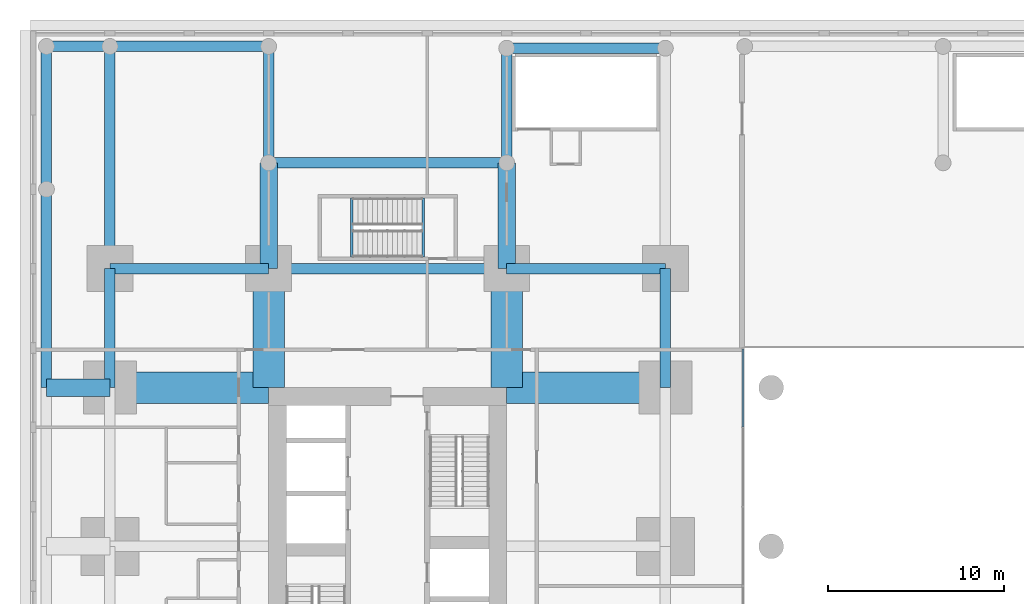
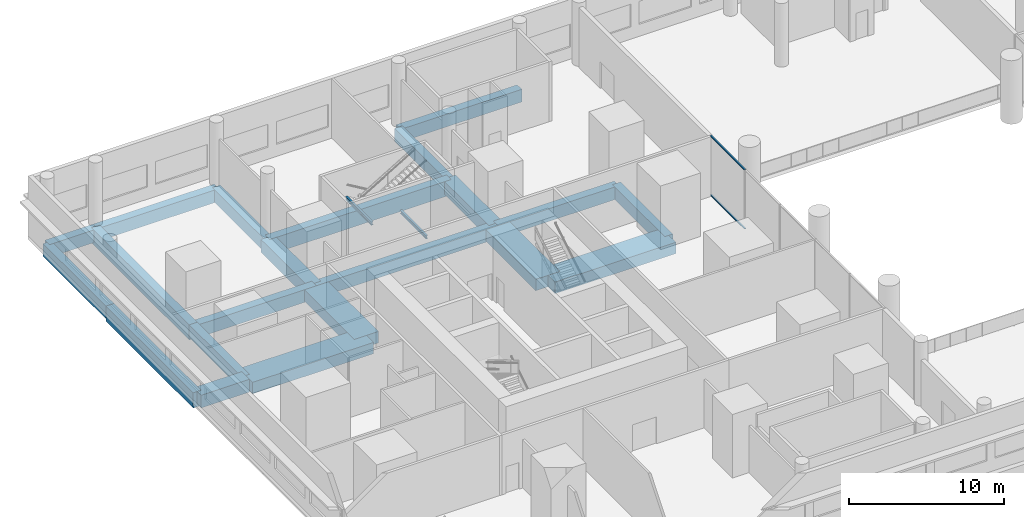
# One storey, part 4 of 20: 23 beams, 2 members, 1 element without a shape of its own.
"""IFC4 building model written with IfcOpenShell, lengths in metres."""

import ifcopenshell
import ifcopenshell.guid

model = None  # the IFC model being written
_history = None  # IfcOwnerHistory: only IFC2X3 demands one
_inside = {}  # id of a spatial element -> (the spatial element, [elements in it])
_under = {}  # id of a project, library or spatial element -> (it, [spatial elements below it])
_declared = {}  # id of a project -> (the project, [libraries it declares])
_typed = {}  # id of a type object -> (the type object, [elements of that type])
_made_of = {}  # id of a material, layer set ... -> (it, [elements and type objects made of it])


def new_model(schema):
    """Start an empty IFC model of exactly this schema.

    Asked for "IFC4X3", IfcOpenShell would pick the latest addendum, in which some entities
    have other attributes; the version numbers below select the first issue.
    IFC2X3 requires an IfcOwnerHistory on every rooted entity: one is made here for all.
    """
    global model, _history
    if schema == "IFC4X3":
        model = ifcopenshell.file(schema_version=(4, 3, 0, 0))
    else:
        model = ifcopenshell.file(schema=schema)
    _inside.clear()
    _under.clear()
    _declared.clear()
    _typed.clear()
    _made_of.clear()
    _history = None
    if model.schema == "IFC2X3":
        org = make("IfcOrganization", Name="unknown")
        user = make(
            "IfcPersonAndOrganization",
            ThePerson=make("IfcPerson", FamilyName="unknown"),
            TheOrganization=org,
        )
        app = make(
            "IfcApplication",
            ApplicationDeveloper=org,
            Version="unknown",
            ApplicationFullName="unknown",
            ApplicationIdentifier="unknown",
        )
        _history = make(
            "IfcOwnerHistory",
            OwningUser=user,
            OwningApplication=app,
            ChangeAction="ADDED",
            CreationDate=0,
        )
    return model


def make(cls, **values):
    """One entity of the class cls with the attributes given. An attribute that is None is left unset."""
    return model.create_entity(
        cls, **{name: value for name, value in values.items() if value is not None}
    )


def rooted(cls, **values):
    """An entity with a GlobalId (a new one), such as an element, a storey or a relation."""
    return make(cls, GlobalId=ifcopenshell.guid.new(), OwnerHistory=_history, **values)


def si_unit(unit_type, name, prefix=None):
    """IfcSIUnit, for example si_unit("LENGTHUNIT", "METRE", prefix="MILLI")."""
    return make("IfcSIUnit", UnitType=unit_type, Prefix=prefix, Name=name)


def assignment(units):
    """IfcUnitAssignment: the units of a project."""
    return None if units is None else make("IfcUnitAssignment", Units=units)


def point(xyz):
    """IfcCartesianPoint."""
    return None if xyz is None else make("IfcCartesianPoint", Coordinates=xyz)


def direction(xyz):
    """IfcDirection."""
    return None if xyz is None else make("IfcDirection", DirectionRatios=xyz)


def frame(location, z_axis=None, x_axis=None):
    """IfcAxis2Placement3D, a coordinate frame: its origin and axes. An axis left out is left unset."""
    return make(
        "IfcAxis2Placement3D",
        Location=point(location),
        Axis=direction(z_axis),
        RefDirection=direction(x_axis),
    )


def frame_2d(location, x_axis=None):
    """IfcAxis2Placement2D, a coordinate frame in the plane: its origin and x axis."""
    return make(
        "IfcAxis2Placement2D", Location=point(location), RefDirection=direction(x_axis)
    )


def origin():
    """The frame at (0, 0, 0) with its axes left unset."""
    return frame((0.0, 0.0, 0.0))


def origin_2d():
    """The frame at (0, 0) in the plane with its x axis left unset."""
    return frame_2d((0.0, 0.0))


def place(relative_to, where):
    """IfcLocalPlacement: puts the frame where relative to a parent placement (None: the world)."""
    return make(
        "IfcLocalPlacement", PlacementRelTo=relative_to, RelativePlacement=where
    )


def context(
    kind, dimensions, precision=None, world=None, true_north=None, identifier=None
):
    """IfcGeometricRepresentationContext, for example the 3D "Model" context."""
    return make(
        "IfcGeometricRepresentationContext",
        ContextIdentifier=identifier,
        ContextType=kind,
        CoordinateSpaceDimension=dimensions,
        Precision=precision,
        WorldCoordinateSystem=world,
        TrueNorth=true_north,
    )


def subcontext(parent, identifier, kind, view, scale=None):
    """IfcGeometricRepresentationSubContext, for example "Body" below "Model"."""
    return make(
        "IfcGeometricRepresentationSubContext",
        ContextIdentifier=identifier,
        ContextType=kind,
        ParentContext=parent,
        TargetScale=scale,
        TargetView=view,
    )


def project(units=None, contexts=None):
    """IfcProject with its units and contexts."""
    return rooted(
        "IfcProject",
        Name="project",
        RepresentationContexts=contexts,
        UnitsInContext=assignment(units),
    )


def spatial(cls, under=None, at=None, **own):
    """A site, building, storey or space (cls), placed at a placement, below another one or the project."""
    s = rooted(cls, ObjectPlacement=at, **own)
    if under is not None:
        _under.setdefault(under.id(), (under, []))[1].append(s)
    return s


def profile(cls, at=None, kind="AREA", **sizes):
    """A parametric profile (cls). Its sizes go by their IFC names, for example OverallWidth=200.0."""
    return make(cls, ProfileType=kind, Position=at, **sizes)


def rectangle(**sizes):
    """IfcRectangleProfileDef."""
    return profile("IfcRectangleProfileDef", **sizes)


def i_section(**sizes):
    """IfcIShapeProfileDef."""
    return profile("IfcIShapeProfileDef", **sizes)


def extrude(swept, where, along, depth):
    """IfcExtrudedAreaSolid: the profile swept, set in the frame where, extruded along a direction by depth."""
    return make(
        "IfcExtrudedAreaSolid",
        SweptArea=swept,
        Position=where,
        ExtrudedDirection=direction(along),
        Depth=depth,
    )


def shape(context_of_items, identifier, shape_type, items):
    """IfcShapeRepresentation: the items that make up one representation, for example the "Body"."""
    return make(
        "IfcShapeRepresentation",
        ContextOfItems=context_of_items,
        RepresentationIdentifier=identifier,
        RepresentationType=shape_type,
        Items=items,
    )


def material(Name=None, Category=None):
    """IfcMaterial."""
    return make("IfcMaterial", Name=Name, Category=Category)


def layer(
    of_material, thickness, ventilated=None, Name=None, Category=None, Priority=None
):
    """IfcMaterialLayer: one layer of a wall or slab, of a material (None: an air gap)."""
    return make(
        "IfcMaterialLayer",
        Material=of_material,
        LayerThickness=thickness,
        IsVentilated=ventilated,
        Name=Name,
        Category=Category,
        Priority=Priority,
    )


def layer_set(layers, Name=None):
    """IfcMaterialLayerSet."""
    return make("IfcMaterialLayerSet", MaterialLayers=layers, LayerSetName=Name)


def material_profile(
    of_material, cross_section, Name=None, Category=None, Priority=None
):
    """IfcMaterialProfile: a cross section and its material."""
    return make(
        "IfcMaterialProfile",
        Name=Name,
        Material=of_material,
        Profile=cross_section,
        Priority=Priority,
        Category=Category,
    )


def profile_set(profiles, Name=None, composite=None):
    """IfcMaterialProfileSet."""
    return make(
        "IfcMaterialProfileSet",
        Name=Name,
        MaterialProfiles=profiles,
        CompositeProfile=composite,
    )


def made_of(thing, what):
    """Note that an element or type object is made of a material, layer set ...; save() writes the relation."""
    if what is not None:
        _made_of.setdefault(what.id(), (what, []))[1].append(thing)
    return thing


def type_object(cls, material=None, **own):
    """A type object (cls), such as IfcWallType, which elements share."""
    return made_of(rooted(cls, **own), material)


def element(
    cls,
    number,
    at=None,
    inside=None,
    cuts=None,
    type_object=None,
    material=None,
    context=None,
    identifier="Body",
    shape_type=None,
    held_by="IfcProductDefinitionShape",
    body=None,
    shapes=None,
    **own,
):
    """One element of the class cls, such as IfcWall. Its Tag is "e" and its number.

    at: its placement. inside: the storey or other place that contains it. cuts: it is an
    opening in that element (IfcRelVoidsElement). A single representation is given by context,
    identifier, shape_type and body (its items); several are given by shapes. held_by: the class
    of the entity that holds the representations. save() writes the other relations.
    """
    e = rooted(cls, Tag="e%d" % number, ObjectPlacement=at, **own)
    if body is not None:
        shapes = [shape(context, identifier, shape_type, body)]
    if shapes is not None:
        e.Representation = make(held_by, Representations=shapes)
    if inside is not None:
        _inside.setdefault(inside.id(), (inside, []))[1].append(e)
    if cuts is not None:
        rooted(
            "IfcRelVoidsElement", RelatingBuildingElement=cuts, RelatedOpeningElement=e
        )
    if type_object is not None:
        _typed.setdefault(type_object.id(), (type_object, []))[1].append(e)
    return made_of(e, material)


def aggregate(whole, parts):
    """IfcRelAggregates: a whole, such as a stair, and the parts it consists of."""
    return rooted("IfcRelAggregates", RelatingObject=whole, RelatedObjects=parts)


def save(model, path):
    """Write the relations noted so far, then the file.

    IfcRelAggregates (storeys below a building ...), IfcRelContainedInSpatialStructure (elements
    in a storey), IfcRelDefinesByType, IfcRelAssociatesMaterial and IfcRelDeclares: one each for
    every whole, place, type object, material and project.
    """
    for whole, parts in _under.values():
        aggregate(whole, parts)
    for where, things in _inside.values():
        rooted(
            "IfcRelContainedInSpatialStructure",
            RelatedElements=things,
            RelatingStructure=where,
        )
    for kind, things in _typed.values():
        rooted("IfcRelDefinesByType", RelatedObjects=things, RelatingType=kind)
    for what, things in _made_of.values():
        rooted("IfcRelAssociatesMaterial", RelatedObjects=things, RelatingMaterial=what)
    for by, libraries in _declared.values():
        rooted("IfcRelDeclares", RelatingContext=by, RelatedDefinitions=libraries)
    model.write(path)


model = new_model("IFC4")

# Units and contexts
model_context = context("Model", 3, precision=1e-05, world=origin(), true_north=direction((0.0, 1.0)))
body_context = subcontext(model_context, "Body", "Model", "MODEL_VIEW")
ifc_project = project(units=[si_unit("LENGTHUNIT", "METRE"), si_unit("AREAUNIT", "SQUARE_METRE"), si_unit("VOLUMEUNIT", "CUBIC_METRE"), si_unit("PLANEANGLEUNIT", "RADIAN"), si_unit("MASSUNIT", "GRAM", prefix="KILO")], contexts=[model_context])

# Site, building, storey
site_placement = place(None, origin())
site = spatial("IfcSite", under=ifc_project, at=site_placement, CompositionType="ELEMENT")
building_placement = place(site_placement, origin())
building = spatial("IfcBuilding", under=site, at=building_placement, Name="Namib Vertical Campus", CompositionType="ELEMENT")
storey_placement = place(building_placement, frame((0.0, 0.0, 16.0)))
storey = spatial("IfcBuildingStorey", under=building, at=storey_placement, Name="L03", CompositionType="ELEMENT", Elevation=16.0)

# Curtain wall, members
ifc_material_1 = material(Name="Black aluminium curtain wall", Category="aluminium")
ifc_layer = layer(ifc_material_1, 0.199951171875)
ifc_layer_set = layer_set([ifc_layer], Name="Atrium screen curtain wall CW-AT")
curtain_wall_type = type_object("IfcCurtainWallType", Name="Atrium screen curtain wall CW-AT", PredefinedType="USERDEFINED", material=ifc_layer_set)
curtain_wall_placement = place(storey_placement, origin())
curtain_wall = element("IfcCurtainWall", 1, at=curtain_wall_placement, inside=storey, type_object=curtain_wall_type, Name="Curtain wall CW-AT atrium A L03 1", ObjectType="CURTAIN WALL", PredefinedType="USERDEFINED")
ifc_material_2 = material(Name="Black anodised aluminium", Category="aluminium")
ifc_material_profile_1 = material_profile(ifc_material_2, rectangle(XDim=0.06005859375, YDim=0.1201171875, at=origin_2d()))
ifc_profile_set_1 = profile_set([ifc_material_profile_1], Name="Black anodised aluminium")
member_type = type_object("IfcMemberType", Name="Curtain wall transom 60x120", PredefinedType="USERDEFINED", material=ifc_profile_set_1)
member_1_placement = place(storey_placement, frame((40.39990234375, 27.030029296875, 0.030029296875), z_axis=(0.0, 1.0, 0.0), x_axis=(0.0, 0.0, 1.0)))
member_1 = element("IfcMember", 2, at=member_1_placement, type_object=member_type, Name="CW-AT transom 5.1", ObjectType="TRANSOM", PredefinedType="USERDEFINED", context=body_context, shape_type="SweptSolid", body=[
    extrude(rectangle(XDim=0.06005859375, YDim=0.1201171875, at=origin_2d()), origin(), (0.0, 0.0, 1.0), 4.409912109375),
])
member_2_placement = place(storey_placement, frame((40.39990234375, 27.030029296875, 4.669921875), z_axis=(0.0, 1.0, 0.0), x_axis=(0.0, 0.0, 1.0)))
member_2 = element("IfcMember", 3, at=member_2_placement, type_object=member_type, Name="CW-AT transom 5.2", ObjectType="TRANSOM", PredefinedType="USERDEFINED", context=body_context, shape_type="SweptSolid", body=[
    extrude(rectangle(XDim=0.06005859375, YDim=0.1201171875, at=origin_2d()), origin(), (0.0, 0.0, 1.0), 4.409912109375),
])
aggregate(curtain_wall, [member_1, member_2])

# Beams
ifc_material_3 = material(Name="Steel S355JR", Category="steel")
ifc_material_profile_2 = material_profile(ifc_material_3, i_section(OverallWidth=0.14599609375, OverallDepth=0.25146484375, WebThickness=0.006103515625, FlangeThickness=0.008544921875, FilletRadius=0.007568359375, at=origin_2d()))
ifc_profile_set_2 = profile_set([ifc_material_profile_2], Name="Steel S355JR")
beam_type_1 = type_object("IfcBeamType", Name="Landing trimmer UB 254x146x31", PredefinedType="BEAM", material=ifc_profile_set_2)
for number, where, z_axis, x_axis, name in (
    (4, (22.27294921875, 36.64990234375, -0.125732421875), (0.0, 1.0, 0.0), (-1.0, 0.0, 0.0), "Landing trimmer LT1 A-S3 L03 1"),
    (5, (18.20703125, 36.64990234375, 2.374267578125), (0.0, 1.0, 0.0), (-1.0, 0.0, 0.0), "Landing trimmer LT1 A-S3 L03 2"),
):
    element("IfcBeam", number, at=place(storey_placement, frame(where, z_axis=z_axis, x_axis=x_axis)), inside=storey, type_object=beam_type_1, Name=name, PredefinedType="BEAM", context=body_context, shape_type="SweptSolid", body=[
        extrude(i_section(OverallWidth=0.14599609375, OverallDepth=0.25146484375, WebThickness=0.006103515625, FlangeThickness=0.008544921875, FilletRadius=0.007568359375, at=origin_2d()), origin(), (0.0, 0.0, 1.0), 3.35009765625),
    ])
ifc_material_4 = material(Name="Concrete C40/50", Category="concrete")
ifc_material_profile_3 = material_profile(ifc_material_4, rectangle(XDim=0.60009765625, YDim=1.199951171875, at=origin_2d()))
ifc_profile_set_3 = profile_set([ifc_material_profile_3], Name="Concrete C40/50")
beam_type_2 = type_object("IfcBeamType", Name="Long-span podium beam RC 600x1200", PredefinedType="BEAM", material=ifc_profile_set_3)
beam_1_placement = place(storey_placement, frame((0.89990234375, 29.25, -0.89990234375), z_axis=(0.0, 1.0, 0.0), x_axis=(-1.0, 0.0, 0.0)))
element("IfcBeam", 6, at=beam_1_placement, inside=storey, type_object=beam_type_2, Name="Beam PB4 L03", PredefinedType="BEAM", context=body_context, shape_type="SweptSolid", body=[
    extrude(rectangle(XDim=0.60009765625, YDim=1.199951171875, at=origin_2d()), origin(), (0.0, 0.0, 1.0), 11.25),
])
beam_2_placement = place(storey_placement, frame((4.5, 36.0, -0.89990234375), z_axis=(0.0, 1.0, 0.0), x_axis=(-1.0, 0.0, 0.0)))
element("IfcBeam", 7, at=beam_2_placement, inside=storey, type_object=beam_type_2, Name="Beam PB4 L03", PredefinedType="BEAM", context=body_context, shape_type="SweptSolid", body=[
    extrude(rectangle(XDim=0.60009765625, YDim=1.199951171875, at=origin_2d()), origin(), (0.0, 0.0, 1.0), 12.60009765625),
])
beam_3_placement = place(storey_placement, frame((13.5, 42.0, -0.89990234375), z_axis=(1.0, 0.0, 0.0), x_axis=(0.0, 1.0, 0.0)))
element("IfcBeam", 8, at=beam_3_placement, inside=storey, type_object=beam_type_2, Name="Beam PB4 L03", PredefinedType="BEAM", context=body_context, shape_type="SweptSolid", body=[
    extrude(rectangle(XDim=0.60009765625, YDim=1.199951171875, at=origin_2d()), origin(), (0.0, 0.0, 1.0), 13.5),
])
ifc_material_5 = material(Name="Concrete C40/50", Category="concrete")
ifc_material_profile_4 = material_profile(ifc_material_5, rectangle(XDim=1.800048828125, YDim=0.89990234375, at=origin_2d()))
ifc_profile_set_4 = profile_set([ifc_material_profile_4], Name="Concrete C40/50")
beam_type_3 = type_object("IfcBeamType", Name="Outrigger line girder RC 1800x900", PredefinedType="BEAM", material=ifc_profile_set_4)
for number, where, z_axis, x_axis, name in (
    (9, (13.5, 36.0, -0.75), (0.0, -1.0, 0.0), (1.0, 0.0, 0.0), "Beam B12 L03"),
    (10, (27.0, 36.0, -0.75), (0.0, -1.0, 0.0), (1.0, 0.0, 0.0), "Beam B12 L03"),
):
    element("IfcBeam", number, at=place(storey_placement, frame(where, z_axis=z_axis, x_axis=x_axis)), inside=storey, type_object=beam_type_3, Name=name, PredefinedType="BEAM", context=body_context, shape_type="SweptSolid", body=[
        extrude(rectangle(XDim=1.800048828125, YDim=0.89990234375, at=origin_2d()), origin(), (0.0, 0.0, 1.0), 6.75),
    ])
for number, where, z_axis, x_axis, name in (
    (11, (4.5, 29.25, -0.75), (1.0, 0.0, 0.0), (0.0, 1.0, 0.0), "Beam B12 L03"),
    (12, (36.0, 29.25, -0.75), (-1.0, 0.0, 0.0), (0.0, -1.0, 0.0), "Beam B12 L03"),
):
    element("IfcBeam", number, at=place(storey_placement, frame(where, z_axis=z_axis, x_axis=x_axis)), inside=storey, type_object=beam_type_3, Name=name, PredefinedType="BEAM", context=body_context, shape_type="SweptSolid", body=[
        extrude(rectangle(XDim=1.800048828125, YDim=0.89990234375, at=origin_2d()), origin(), (0.0, 0.0, 1.0), 9.0),
    ])
ifc_material_6 = material(Name="Concrete C40/50", Category="concrete")
ifc_material_profile_5 = material_profile(ifc_material_6, rectangle(XDim=0.60009765625, YDim=1.0, at=origin_2d()))
ifc_profile_set_5 = profile_set([ifc_material_profile_5], Name="Concrete C40/50")
beam_type_4 = type_object("IfcBeamType", Name="Podium beam RC 600x1000", PredefinedType="BEAM", material=ifc_profile_set_5)
beam_4_placement = place(storey_placement, frame((0.89990234375, 40.5, -0.800048828125), z_axis=(0.0, 1.0, 0.0), x_axis=(-1.0, 0.0, 0.0)))
element("IfcBeam", 13, at=beam_4_placement, inside=storey, type_object=beam_type_4, Name="Beam PB1 L03", PredefinedType="BEAM", context=body_context, shape_type="SweptSolid", body=[
    extrude(rectangle(XDim=0.60009765625, YDim=1.0, at=origin_2d()), origin(), (0.0, 0.0, 1.0), 8.10009765625),
])
beam_5_placement = place(storey_placement, frame((13.5, 42.0, -0.800048828125), z_axis=(0.0, 1.0, 0.0), x_axis=(-1.0, 0.0, 0.0)))
element("IfcBeam", 14, at=beam_5_placement, inside=storey, type_object=beam_type_4, Name="Beam PB1 L03", PredefinedType="BEAM", context=body_context, shape_type="SweptSolid", body=[
    extrude(rectangle(XDim=0.60009765625, YDim=1.0, at=origin_2d()), origin(), (0.0, 0.0, 1.0), 6.60009765625),
])
beam_6_placement = place(storey_placement, frame((27.0, 42.0, -0.800048828125), z_axis=(0.0, 1.0, 0.0), x_axis=(-1.0, 0.0, 0.0)))
element("IfcBeam", 15, at=beam_6_placement, inside=storey, type_object=beam_type_4, Name="Beam PB1 L03", PredefinedType="BEAM", context=body_context, shape_type="SweptSolid", body=[
    extrude(rectangle(XDim=0.60009765625, YDim=1.0, at=origin_2d()), origin(), (0.0, 0.0, 1.0), 6.5),
])
beam_7_placement = place(storey_placement, frame((27.0, 48.5, -0.800048828125), z_axis=(1.0, 0.0, 0.0), x_axis=(0.0, 1.0, 0.0)))
element("IfcBeam", 16, at=beam_7_placement, inside=storey, type_object=beam_type_4, Name="Beam PB1 L03", PredefinedType="BEAM", context=body_context, shape_type="SweptSolid", body=[
    extrude(rectangle(XDim=0.60009765625, YDim=1.0, at=origin_2d()), origin(), (0.0, 0.0, 1.0), 9.0),
])
beam_8_placement = place(storey_placement, frame((0.89990234375, 48.60009765625, -0.800048828125), z_axis=(1.0, 0.0, 0.0), x_axis=(0.0, 1.0, 0.0)))
element("IfcBeam", 17, at=beam_8_placement, inside=storey, type_object=beam_type_4, Name="Beam PB1 L03", PredefinedType="BEAM", context=body_context, shape_type="SweptSolid", body=[
    extrude(rectangle(XDim=0.60009765625, YDim=1.0, at=origin_2d()), origin(), (0.0, 0.0, 1.0), 3.60009765625),
])
beam_9_placement = place(storey_placement, frame((4.5, 48.60009765625, -0.800048828125), z_axis=(1.0, 0.0, 0.0), x_axis=(0.0, 1.0, 0.0)))
element("IfcBeam", 18, at=beam_9_placement, inside=storey, type_object=beam_type_4, Name="Beam PB1 L03", PredefinedType="BEAM", context=body_context, shape_type="SweptSolid", body=[
    extrude(rectangle(XDim=0.60009765625, YDim=1.0, at=origin_2d()), origin(), (0.0, 0.0, 1.0), 9.0),
])
ifc_material_7 = material(Name="Concrete C40/50", Category="concrete")
ifc_material_profile_6 = material_profile(ifc_material_7, rectangle(XDim=0.60009765625, YDim=1.0, at=origin_2d()))
ifc_profile_set_6 = profile_set([ifc_material_profile_6], Name="Concrete C40/50")
beam_type_5 = type_object("IfcBeamType", Name="Podium ring beam RC 600x1000", PredefinedType="BEAM", material=ifc_profile_set_6)
beam_10_placement = place(storey_placement, frame((4.5, 36.0, -0.800048828125), z_axis=(1.0, 0.0, 0.0), x_axis=(0.0, 1.0, 0.0)))
element("IfcBeam", 19, at=beam_10_placement, inside=storey, type_object=beam_type_5, Name="Beam B6 L03", PredefinedType="BEAM", context=body_context, shape_type="SweptSolid", body=[
    extrude(rectangle(XDim=0.60009765625, YDim=1.0, at=origin_2d()), origin(), (0.0, 0.0, 1.0), 9.0),
])
beam_11_placement = place(storey_placement, frame((13.5, 36.0, -0.800048828125), z_axis=(1.0, 0.0, 0.0), x_axis=(0.0, 1.0, 0.0)))
element("IfcBeam", 20, at=beam_11_placement, inside=storey, type_object=beam_type_5, Name="Beam B6 L03", PredefinedType="BEAM", context=body_context, shape_type="SweptSolid", body=[
    extrude(rectangle(XDim=0.60009765625, YDim=1.0, at=origin_2d()), origin(), (0.0, 0.0, 1.0), 13.5),
])
beam_12_placement = place(storey_placement, frame((27.0, 36.0, -0.800048828125), z_axis=(1.0, 0.0, 0.0), x_axis=(0.0, 1.0, 0.0)))
element("IfcBeam", 21, at=beam_12_placement, inside=storey, type_object=beam_type_5, Name="Beam B6 L03", PredefinedType="BEAM", context=body_context, shape_type="SweptSolid", body=[
    extrude(rectangle(XDim=0.60009765625, YDim=1.0, at=origin_2d()), origin(), (0.0, 0.0, 1.0), 9.0),
])
for number, where, z_axis, x_axis, name in (
    (22, (4.5, 29.25, -0.800048828125), (0.0, 1.0, 0.0), (-1.0, 0.0, 0.0), "Beam B6 L03"),
    (23, (36.0, 29.25, -0.800048828125), (0.0, 1.0, 0.0), (-1.0, 0.0, 0.0), "Beam B6 L03"),
):
    element("IfcBeam", number, at=place(storey_placement, frame(where, z_axis=z_axis, x_axis=x_axis)), inside=storey, type_object=beam_type_5, Name=name, PredefinedType="BEAM", context=body_context, shape_type="SweptSolid", body=[
        extrude(rectangle(XDim=0.60009765625, YDim=1.0, at=origin_2d()), origin(), (0.0, 0.0, 1.0), 6.75),
    ])
ifc_material_8 = material(Name="Concrete C40/50", Category="concrete")
ifc_material_profile_7 = material_profile(ifc_material_8, rectangle(XDim=1.0, YDim=1.0, at=origin_2d()))
ifc_profile_set_7 = profile_set([ifc_material_profile_7], Name="Concrete C40/50")
beam_type_6 = type_object("IfcBeamType", Name="Podium tie beam RC 1000x1000", PredefinedType="BEAM", material=ifc_profile_set_7)
for number, where, z_axis, x_axis, name in (
    (24, (13.5, 36.0, -0.800048828125), (0.0, 1.0, 0.0), (-1.0, 0.0, 0.0), "Beam PB3 L03"),
    (25, (27.0, 36.0, -0.800048828125), (0.0, 1.0, 0.0), (-1.0, 0.0, 0.0), "Beam PB3 L03"),
):
    element("IfcBeam", number, at=place(storey_placement, frame(where, z_axis=z_axis, x_axis=x_axis)), inside=storey, type_object=beam_type_6, Name=name, PredefinedType="BEAM", context=body_context, shape_type="SweptSolid", body=[
        extrude(rectangle(XDim=1.0, YDim=1.0, at=origin_2d()), origin(), (0.0, 0.0, 1.0), 6.0),
    ])
beam_13_placement = place(storey_placement, frame((0.89990234375, 29.25, -0.800048828125), z_axis=(1.0, 0.0, 0.0), x_axis=(0.0, 1.0, 0.0)))
element("IfcBeam", 26, at=beam_13_placement, inside=storey, type_object=beam_type_6, Name="Beam PB3 L03", PredefinedType="BEAM", context=body_context, shape_type="SweptSolid", body=[
    extrude(rectangle(XDim=1.0, YDim=1.0, at=origin_2d()), origin(), (0.0, 0.0, 1.0), 3.60009765625),
])

save(model, "model.ifc")
